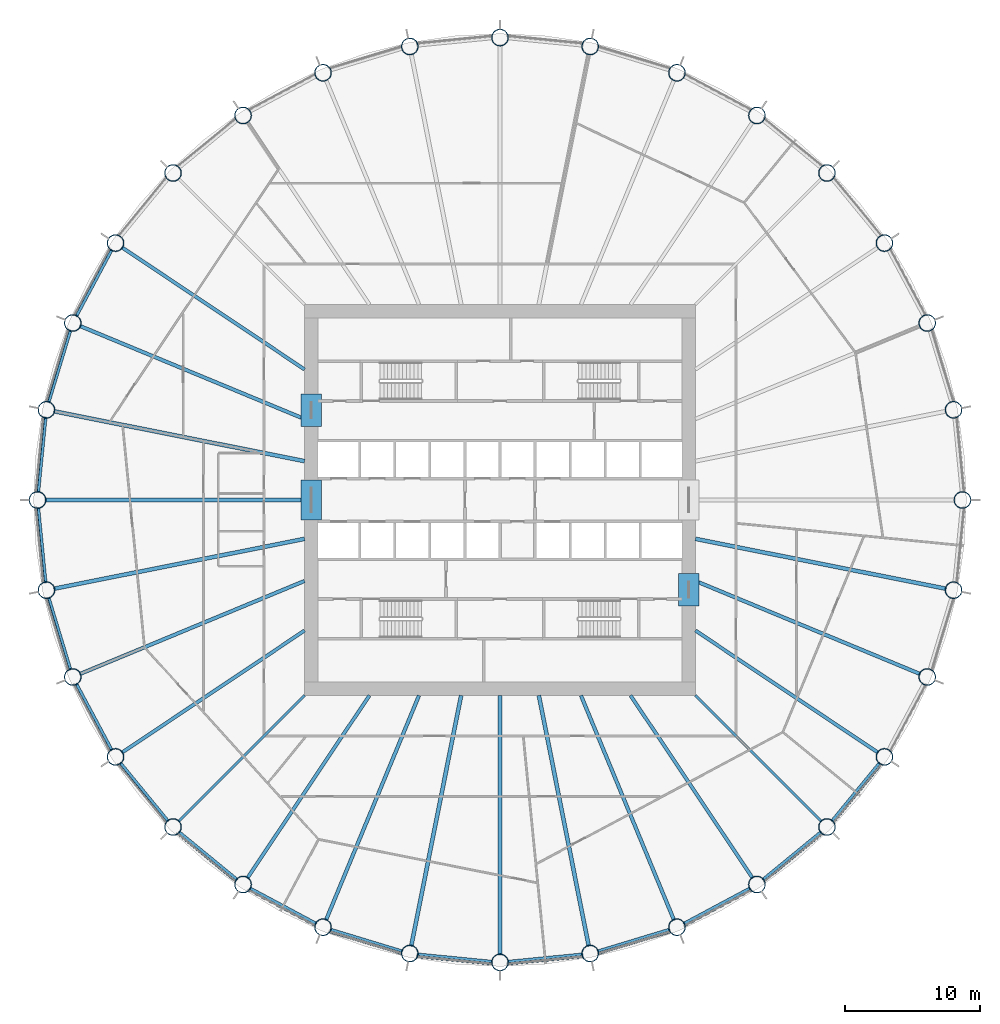
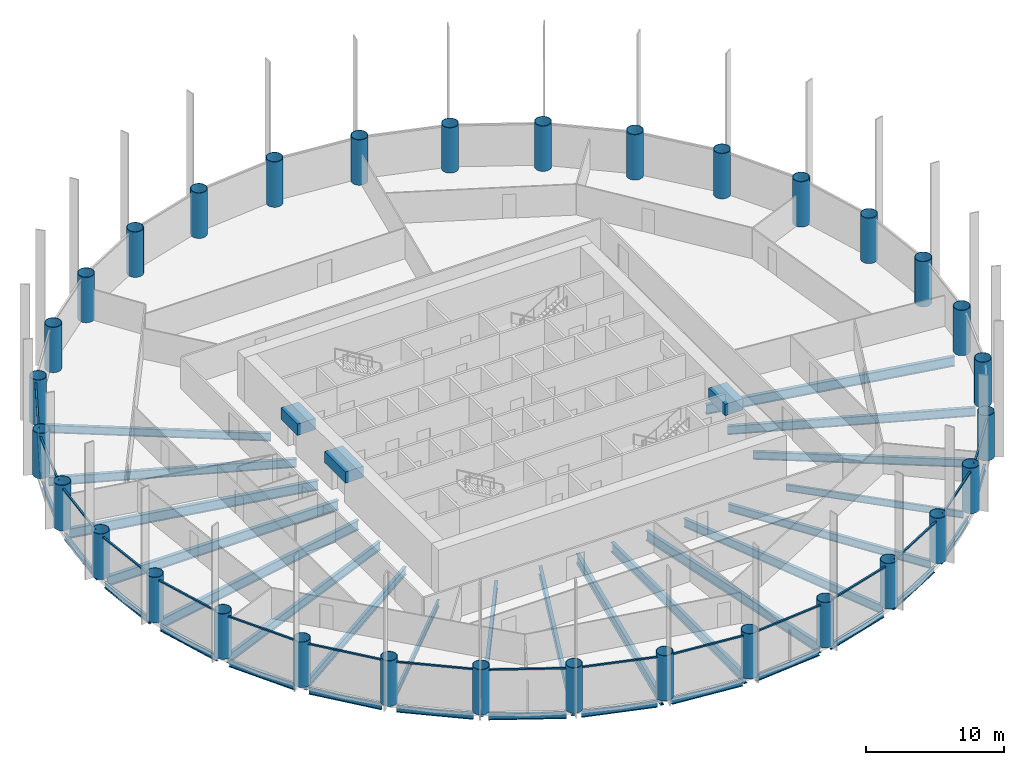
# One storey, part 1 of 10: 38 beams, 32 columns, 16 members, 16 elements without a shape of their own.
"""IFC4 building model written with IfcOpenShell, lengths in metres."""

from ifc_helpers import new_model, si_unit, direction, frame, origin, origin_2d, place, context, subcontext, project, spatial, rectangle, hollow_circle, i_section, extrude, material, material_profile, profile_set, type_object, element, aggregate, save


model = new_model("IFC4")

# Units and contexts
model_context = context("Model", 3, precision=1e-05, world=origin(), true_north=direction((0.0, 1.0)))
body_context = subcontext(model_context, "Body", "Model", "MODEL_VIEW")
ifc_project = project(units=[si_unit("LENGTHUNIT", "METRE"), si_unit("AREAUNIT", "SQUARE_METRE"), si_unit("VOLUMEUNIT", "CUBIC_METRE"), si_unit("PLANEANGLEUNIT", "RADIAN"), si_unit("MASSUNIT", "GRAM", prefix="KILO")], contexts=[model_context])

# Site, building, storey
site_placement = place(None, origin())
site = spatial("IfcSite", under=ifc_project, at=site_placement, CompositionType="ELEMENT")
building_placement = place(site_placement, origin())
building = spatial("IfcBuilding", under=site, at=building_placement, Name="Corvane Civic Tower", CompositionType="ELEMENT")
storey_placement = place(building_placement, frame((0.0, 0.0, 106.5)))
storey = spatial("IfcBuildingStorey", under=building, at=storey_placement, Name="L24", CompositionType="ELEMENT", Elevation=106.5)

# Columns
ifc_material_1 = material(Name="Steel ASTM A572 Gr 50", Category="steel")
ifc_material_profile_1 = material_profile(ifc_material_1, hollow_circle(Radius=0.625, WallThickness=0.035888671875, at=origin_2d()), Name="CHS1250X36")
ifc_profile_set_1 = profile_set([ifc_material_profile_1], Name="Steel ASTM A572 Gr 50")
column_type = type_object("IfcColumnType", Name="COMPOSITE COLUMN CHS1250X36", PredefinedType="COLUMN", material=ifc_profile_set_1)
for number, where, z_axis, x_axis, name in (
    (1, (0.0, 34.300048828125, 0.0), (0.0, 0.0, 1.0), (1.0, 0.0, 0.0), "COL-L24-B01"),
    (2, (6.691650390625, 33.640869140625, 0.0), (0.0, 0.0, 1.0), (1.0, 0.0, 0.0), "COL-L24-B02"),
    (3, (13.1259765625, 31.68896484375, 0.0), (0.0, 0.0, 1.0), (1.0, 0.0, 0.0), "COL-L24-B03"),
    (4, (19.05615234375, 28.519287109375, 0.0), (0.0, 0.0, 1.0), (1.0, 0.0, 0.0), "COL-L24-B04"),
    (5, (24.253662109375, 24.253662109375, 0.0), (0.0, 0.0, 1.0), (1.0, 0.0, 0.0), "COL-L24-B05"),
    (6, (28.519287109375, 19.05615234375, 0.0), (0.0, 0.0, 1.0), (1.0, 0.0, 0.0), "COL-L24-B06"),
    (7, (31.68896484375, 13.1259765625, 0.0), (0.0, 0.0, 1.0), (1.0, 0.0, 0.0), "COL-L24-B07"),
    (8, (33.640869140625, 6.691650390625, 0.0), (0.0, 0.0, 1.0), (1.0, 0.0, 0.0), "COL-L24-B08"),
    (9, (34.300048828125, 0.0, 0.0), (0.0, 0.0, 1.0), (1.0, 0.0, 0.0), "COL-L24-B09"),
    (10, (33.640869140625, -6.691650390625, 0.0), (0.0, 0.0, 1.0), (1.0, 0.0, 0.0), "COL-L24-B10"),
    (11, (31.68896484375, -13.1259765625, 0.0), (0.0, 0.0, 1.0), (1.0, 0.0, 0.0), "COL-L24-B11"),
    (12, (28.519287109375, -19.05615234375, 0.0), (0.0, 0.0, 1.0), (1.0, 0.0, 0.0), "COL-L24-B12"),
    (13, (24.253662109375, -24.253662109375, 0.0), (0.0, 0.0, 1.0), (1.0, 0.0, 0.0), "COL-L24-B13"),
    (14, (19.05615234375, -28.519287109375, 0.0), (0.0, 0.0, 1.0), (1.0, 0.0, 0.0), "COL-L24-B14"),
    (15, (13.1259765625, -31.68896484375, 0.0), (0.0, 0.0, 1.0), (1.0, 0.0, 0.0), "COL-L24-B15"),
    (16, (6.691650390625, -33.640869140625, 0.0), (0.0, 0.0, 1.0), (1.0, 0.0, 0.0), "COL-L24-B16"),
    (17, (0.0, -34.300048828125, 0.0), (0.0, 0.0, 1.0), (1.0, 0.0, 0.0), "COL-L24-B17"),
    (18, (-6.691650390625, -33.640869140625, 0.0), (0.0, 0.0, 1.0), (1.0, 0.0, 0.0), "COL-L24-B18"),
    (19, (-13.1259765625, -31.68896484375, 0.0), (0.0, 0.0, 1.0), (1.0, 0.0, 0.0), "COL-L24-B19"),
    (20, (-19.05615234375, -28.519287109375, 0.0), (0.0, 0.0, 1.0), (1.0, 0.0, 0.0), "COL-L24-B20"),
    (21, (-24.253662109375, -24.253662109375, 0.0), (0.0, 0.0, 1.0), (1.0, 0.0, 0.0), "COL-L24-B21"),
    (22, (-28.519287109375, -19.05615234375, 0.0), (0.0, 0.0, 1.0), (1.0, 0.0, 0.0), "COL-L24-B22"),
    (23, (-31.68896484375, -13.1259765625, 0.0), (0.0, 0.0, 1.0), (1.0, 0.0, 0.0), "COL-L24-B23"),
    (24, (-33.640869140625, -6.691650390625, 0.0), (0.0, 0.0, 1.0), (1.0, 0.0, 0.0), "COL-L24-B24"),
    (25, (-34.300048828125, 0.0, 0.0), (0.0, 0.0, 1.0), (1.0, 0.0, 0.0), "COL-L24-B25"),
    (26, (-33.640869140625, 6.691650390625, 0.0), (0.0, 0.0, 1.0), (1.0, 0.0, 0.0), "COL-L24-B26"),
    (27, (-31.68896484375, 13.1259765625, 0.0), (0.0, 0.0, 1.0), (1.0, 0.0, 0.0), "COL-L24-B27"),
    (28, (-28.519287109375, 19.05615234375, 0.0), (0.0, 0.0, 1.0), (1.0, 0.0, 0.0), "COL-L24-B28"),
    (29, (-24.253662109375, 24.253662109375, 0.0), (0.0, 0.0, 1.0), (1.0, 0.0, 0.0), "COL-L24-B29"),
    (30, (-19.05615234375, 28.519287109375, 0.0), (0.0, 0.0, 1.0), (1.0, 0.0, 0.0), "COL-L24-B30"),
    (31, (-13.1259765625, 31.68896484375, 0.0), (0.0, 0.0, 1.0), (1.0, 0.0, 0.0), "COL-L24-B31"),
    (32, (-6.691650390625, 33.640869140625, 0.0), (0.0, 0.0, 1.0), (1.0, 0.0, 0.0), "COL-L24-B32"),
):
    element("IfcColumn", number, at=place(storey_placement, frame(where, z_axis=z_axis, x_axis=x_axis)), inside=storey, type_object=column_type, Name=name, PredefinedType="COLUMN", context=body_context, shape_type="SweptSolid", body=[
        extrude(hollow_circle(Radius=0.625, WallThickness=0.035888671875, at=origin_2d()), origin(), (0.0, 0.0, 1.0), 4.0),
    ])

# Beams
ifc_material_2 = material(Name="Concrete C70/85", Category="concrete")
ifc_material_profile_2 = material_profile(ifc_material_2, rectangle(XDim=1.5, YDim=1.0, at=origin_2d()), Name="COUPLING BEAM 1500X1000")
ifc_profile_set_2 = profile_set([ifc_material_profile_2], Name="Concrete C70/85")
beam_type_1 = type_object("IfcBeamType", Name="COUPLING BEAM COUPLING BEAM 1500X1000", PredefinedType="BEAM", material=ifc_profile_set_2)
beam_1_placement = place(storey_placement, frame((-14.0, -1.5, 2.60009765625), z_axis=(0.0, 1.0, 0.0), x_axis=(-1.0, 0.0, 0.0)))
element("IfcBeam", 33, at=beam_1_placement, inside=storey, type_object=beam_type_1, Name="BM-L24-cpl-CW-LW", PredefinedType="BEAM", context=body_context, shape_type="SweptSolid", body=[
    extrude(rectangle(XDim=1.5, YDim=1.0, at=origin_2d()), origin(), (0.0, 0.0, 1.0), 3.0),
])
for number, where, z_axis, x_axis, name in (
    (34, (-14.0, 5.449951171875, 2.60009765625), (0.0, 1.0, 0.0), (-1.0, 0.0, 0.0), "BM-L24-cpl-CW-WN"),
    (35, (14.0, -7.85009765625, 2.60009765625), (0.0, 1.0, 0.0), (-1.0, 0.0, 0.0), "BM-L24-cpl-CW-ES"),
):
    element("IfcBeam", number, at=place(storey_placement, frame(where, z_axis=z_axis, x_axis=x_axis)), inside=storey, type_object=beam_type_1, Name=name, PredefinedType="BEAM", context=body_context, shape_type="SweptSolid", body=[
        extrude(rectangle(XDim=1.5, YDim=1.0, at=origin_2d()), origin(), (0.0, 0.0, 1.0), 2.400146484375),
    ])
ifc_material_3 = material(Name="Steel ASTM A992 Gr 50", Category="steel")
ifc_material_profile_3 = material_profile(ifc_material_3, i_section(OverallWidth=0.209228515625, OverallDepth=0.533447265625, WebThickness=0.01025390625, FlangeThickness=0.015625, at=origin_2d()), Name="W21X62")
ifc_profile_set_3 = profile_set([ifc_material_profile_3], Name="Steel ASTM A992 Gr 50")
beam_type_2 = type_object("IfcBeamType", Name="EDGE BEAM W21X62", PredefinedType="BEAM", material=ifc_profile_set_3)
for number, where, z_axis, x_axis, name in (
    (36, (28.17041015625, -19.481201171875, -0.566650390625), (-0.634397765782, -0.773006775372, 0.0), (0.773006775372, -0.634397765782, 0.0), "BM-L24-E12"),
    (37, (23.82861328125, -24.6025390625, -0.566650390625), (-0.773006775372, -0.634397765782, 0.0), (0.634397765782, -0.773006775372, 0.0), "BM-L24-E13"),
    (38, (18.571044921875, -28.778564453125, -0.566650390625), (-0.88192357867, -0.471392407008, 0.0), (0.471392407008, -0.88192357867, 0.0), "BM-L24-E14"),
):
    element("IfcBeam", number, at=place(storey_placement, frame(where, z_axis=z_axis, x_axis=x_axis)), inside=storey, type_object=beam_type_2, Name=name, PredefinedType="BEAM", context=body_context, shape_type="SweptSolid", body=[
        extrude(i_section(OverallWidth=0.209228515625, OverallDepth=0.533447265625, WebThickness=0.01025390625, FlangeThickness=0.015625, at=origin_2d()), origin(), (0.0, 0.0, 1.0), 5.6240234375),
    ])
beam_2_placement = place(storey_placement, frame((12.599609375, -31.8486328125, -0.566650390625), z_axis=(-0.956936367498, -0.290297758448, 0.0), x_axis=(0.290297758448, -0.956936367498, 0.0)))
element("IfcBeam", 39, at=beam_2_placement, inside=storey, type_object=beam_type_2, Name="BM-L24-E15", PredefinedType="BEAM", context=body_context, shape_type="SweptSolid", body=[
    extrude(i_section(OverallWidth=0.209228515625, OverallDepth=0.533447265625, WebThickness=0.01025390625, FlangeThickness=0.015625, at=origin_2d()), origin(), (0.0, 0.0, 1.0), 5.623779296875),
])
for number, where, z_axis, x_axis, name in (
    (40, (6.144287109375, -33.69482421875, -0.566650390625), (-0.995184368522, -0.098020776625, 0.0), (0.098020776625, -0.995184368522, 0.0), "BM-L24-E16"),
    (41, (-0.54736328125, -34.24609375, -0.566650390625), (-0.995184368522, 0.098020776625, 0.0), (-0.098020776625, -0.995184368522, 0.0), "BM-L24-E17"),
):
    element("IfcBeam", number, at=place(storey_placement, frame(where, z_axis=z_axis, x_axis=x_axis)), inside=storey, type_object=beam_type_2, Name=name, PredefinedType="BEAM", context=body_context, shape_type="SweptSolid", body=[
        extrude(i_section(OverallWidth=0.209228515625, OverallDepth=0.533447265625, WebThickness=0.01025390625, FlangeThickness=0.015625, at=origin_2d()), origin(), (0.0, 0.0, 1.0), 5.6240234375),
    ])
beam_3_placement = place(storey_placement, frame((-7.218017578125, -33.481201171875, -0.566650390625), z_axis=(-0.956936367498, 0.290297758448, 0.0), x_axis=(-0.290297758448, -0.956936367498, 0.0)))
element("IfcBeam", 42, at=beam_3_placement, inside=storey, type_object=beam_type_2, Name="BM-L24-E18", PredefinedType="BEAM", context=body_context, shape_type="SweptSolid", body=[
    extrude(i_section(OverallWidth=0.209228515625, OverallDepth=0.533447265625, WebThickness=0.01025390625, FlangeThickness=0.015625, at=origin_2d()), origin(), (0.0, 0.0, 1.0), 5.623779296875),
])
for number, where, z_axis, x_axis, name in (
    (43, (-13.611083984375, -31.4296875, -0.566650390625), (-0.88192357867, 0.471392407008, 0.0), (-0.471392407008, -0.88192357867, 0.0), "BM-L24-E19"),
    (44, (-19.481201171875, -28.17041015625, -0.566650390625), (-0.773006775372, 0.634397765782, 0.0), (-0.634397765782, -0.773006775372, 0.0), "BM-L24-E20"),
    (45, (-24.6025390625, -23.82861328125, -0.566650390625), (-0.634397765782, 0.773006775372, 0.0), (-0.773006775372, -0.634397765782, 0.0), "BM-L24-E21"),
    (46, (-28.778564453125, -18.571044921875, -0.566650390625), (-0.471392407008, 0.88192357867, 0.0), (-0.88192357867, -0.471392407008, 0.0), "BM-L24-E22"),
):
    element("IfcBeam", number, at=place(storey_placement, frame(where, z_axis=z_axis, x_axis=x_axis)), inside=storey, type_object=beam_type_2, Name=name, PredefinedType="BEAM", context=body_context, shape_type="SweptSolid", body=[
        extrude(i_section(OverallWidth=0.209228515625, OverallDepth=0.533447265625, WebThickness=0.01025390625, FlangeThickness=0.015625, at=origin_2d()), origin(), (0.0, 0.0, 1.0), 5.6240234375),
    ])
beam_4_placement = place(storey_placement, frame((-31.8486328125, -12.599609375, -0.566650390625), z_axis=(-0.290297758448, 0.956936367498, 0.0), x_axis=(-0.956936367498, -0.290297758448, 0.0)))
element("IfcBeam", 47, at=beam_4_placement, inside=storey, type_object=beam_type_2, Name="BM-L24-E23", PredefinedType="BEAM", context=body_context, shape_type="SweptSolid", body=[
    extrude(i_section(OverallWidth=0.209228515625, OverallDepth=0.533447265625, WebThickness=0.01025390625, FlangeThickness=0.015625, at=origin_2d()), origin(), (0.0, 0.0, 1.0), 5.623779296875),
])
for number, where, z_axis, x_axis, name in (
    (48, (-33.69482421875, -6.144287109375, -0.566650390625), (-0.098020776625, 0.995184368522, 0.0), (-0.995184368522, -0.098020776625, 0.0), "BM-L24-E24"),
    (49, (-34.24609375, 0.54736328125, -0.566650390625), (0.098020776625, 0.995184368522, 0.0), (-0.995184368522, 0.098020776625, 0.0), "BM-L24-E25"),
):
    element("IfcBeam", number, at=place(storey_placement, frame(where, z_axis=z_axis, x_axis=x_axis)), inside=storey, type_object=beam_type_2, Name=name, PredefinedType="BEAM", context=body_context, shape_type="SweptSolid", body=[
        extrude(i_section(OverallWidth=0.209228515625, OverallDepth=0.533447265625, WebThickness=0.01025390625, FlangeThickness=0.015625, at=origin_2d()), origin(), (0.0, 0.0, 1.0), 5.6240234375),
    ])
beam_5_placement = place(storey_placement, frame((-33.481201171875, 7.218017578125, -0.566650390625), z_axis=(0.290297758448, 0.956936367498, 0.0), x_axis=(-0.956936367498, 0.290297758448, 0.0)))
element("IfcBeam", 50, at=beam_5_placement, inside=storey, type_object=beam_type_2, Name="BM-L24-E26", PredefinedType="BEAM", context=body_context, shape_type="SweptSolid", body=[
    extrude(i_section(OverallWidth=0.209228515625, OverallDepth=0.533447265625, WebThickness=0.01025390625, FlangeThickness=0.015625, at=origin_2d()), origin(), (0.0, 0.0, 1.0), 5.623779296875),
])
beam_6_placement = place(storey_placement, frame((-31.4296875, 13.611083984375, -0.566650390625), z_axis=(0.471392407008, 0.88192357867, 0.0), x_axis=(-0.88192357867, 0.471392407008, 0.0)))
element("IfcBeam", 51, at=beam_6_placement, inside=storey, type_object=beam_type_2, Name="BM-L24-E27", PredefinedType="BEAM", context=body_context, shape_type="SweptSolid", body=[
    extrude(i_section(OverallWidth=0.209228515625, OverallDepth=0.533447265625, WebThickness=0.01025390625, FlangeThickness=0.015625, at=origin_2d()), origin(), (0.0, 0.0, 1.0), 5.6240234375),
])
ifc_material_4 = material(Name="Steel ASTM A992 Gr 50", Category="steel")
ifc_material_profile_4 = material_profile(ifc_material_4, i_section(OverallWidth=0.177978515625, OverallDepth=0.599365234375, WebThickness=0.010009765625, FlangeThickness=0.012939453125, at=origin_2d()), Name="W24X55")
ifc_profile_set_4 = profile_set([ifc_material_profile_4], Name="Steel ASTM A992 Gr 50")
beam_type_3 = type_object("IfcBeamType", Name="FLOOR GIRDER W24X55", PredefinedType="BEAM", material=ifc_profile_set_4)
for number, where, z_axis, x_axis, name in (
    (52, (14.5, -14.5, -0.599609375), (0.707106781187, -0.707106781187, 0.0), (0.707106781187, 0.707106781187, 0.0), "BM-L24-G13"),
    (53, (-14.5, -14.5, -0.599609375), (-0.707106781187, -0.707106781187, 0.0), (0.707106781187, -0.707106781187, 0.0), "BM-L24-G21"),
):
    element("IfcBeam", number, at=place(storey_placement, frame(where, z_axis=z_axis, x_axis=x_axis)), inside=storey, type_object=beam_type_3, Name=name, PredefinedType="BEAM", context=body_context, shape_type="SweptSolid", body=[
        extrude(i_section(OverallWidth=0.177978515625, OverallDepth=0.599365234375, WebThickness=0.010009765625, FlangeThickness=0.012939453125, at=origin_2d()), origin(), (0.0, 0.0, 1.0), 13.24365234375),
    ])
ifc_material_5 = material(Name="Steel ASTM A992 Gr 50", Category="steel")
ifc_material_profile_5 = material_profile(ifc_material_5, i_section(OverallWidth=0.256591796875, OverallDepth=0.693359375, WebThickness=0.014404296875, FlangeThickness=0.023681640625, at=origin_2d()), Name="W27X114")
ifc_profile_set_5 = profile_set([ifc_material_profile_5], Name="Steel ASTM A992 Gr 50")
beam_type_4 = type_object("IfcBeamType", Name="FLOOR GIRDER W27X114", PredefinedType="BEAM", material=ifc_profile_set_5)
for number, where, z_axis, x_axis, name in (
    (54, (14.5, -9.6884765625, -0.646728515625), (0.83146493365, -0.555577235054, 0.0), (0.555577235054, 0.83146493365, 0.0), "BM-L24-G12"),
    (55, (9.6884765625, -14.5, -0.646728515625), (0.555577235054, -0.83146493365, 0.0), (0.83146493365, 0.555577235054, 0.0), "BM-L24-G14"),
    (56, (-9.6884765625, -14.5, -0.646728515625), (-0.555577235054, -0.83146493365, 0.0), (0.83146493365, -0.555577235054, 0.0), "BM-L24-G20"),
    (57, (-14.5, -9.6884765625, -0.646728515625), (-0.83146493365, -0.555577235054, 0.0), (0.555577235054, -0.83146493365, 0.0), "BM-L24-G22"),
    (58, (-14.5, 9.6884765625, -0.646728515625), (-0.83146493365, 0.555577235054, 0.0), (-0.555577235054, -0.83146493365, 0.0), "BM-L24-G28"),
):
    element("IfcBeam", number, at=place(storey_placement, frame(where, z_axis=z_axis, x_axis=x_axis)), inside=storey, type_object=beam_type_4, Name=name, PredefinedType="BEAM", context=body_context, shape_type="SweptSolid", body=[
        extrude(i_section(OverallWidth=0.256591796875, OverallDepth=0.693359375, WebThickness=0.014404296875, FlangeThickness=0.023681640625, at=origin_2d()), origin(), (0.0, 0.0, 1.0), 16.31103515625),
    ])
ifc_material_6 = material(Name="Steel ASTM A992 Gr 50", Category="steel")
ifc_material_profile_6 = material_profile(ifc_material_6, i_section(OverallWidth=0.2666015625, OverallDepth=0.7568359375, WebThickness=0.013916015625, FlangeThickness=0.019287109375, at=origin_2d()), Name="W30X108")
ifc_profile_set_6 = profile_set([ifc_material_profile_6], Name="Steel ASTM A992 Gr 50")
beam_type_5 = type_object("IfcBeamType", Name="FLOOR GIRDER W30X108", PredefinedType="BEAM", material=ifc_profile_set_6)
for number, where, z_axis, x_axis, name in (
    (59, (14.5, -6.006103515625, -0.678466796875), (0.923880209691, -0.382681797504, 0.0), (0.382681797504, 0.923880209691, 0.0), "BM-L24-G11"),
    (60, (6.006103515625, -14.5, -0.678466796875), (0.382681797504, -0.923880209691, 0.0), (0.923880209691, 0.382681797504, 0.0), "BM-L24-G15"),
    (61, (-6.006103515625, -14.5, -0.678466796875), (-0.382681797504, -0.923880209691, 0.0), (0.923880209691, -0.382681797504, 0.0), "BM-L24-G19"),
    (62, (-14.5, -6.006103515625, -0.678466796875), (-0.923880209691, -0.382681797504, 0.0), (0.382681797504, -0.923880209691, 0.0), "BM-L24-G23"),
    (63, (-14.5, 6.006103515625, -0.678466796875), (-0.923880209691, 0.382681797504, 0.0), (-0.382681797504, -0.923880209691, 0.0), "BM-L24-G27"),
):
    element("IfcBeam", number, at=place(storey_placement, frame(where, z_axis=z_axis, x_axis=x_axis)), inside=storey, type_object=beam_type_5, Name=name, PredefinedType="BEAM", context=body_context, shape_type="SweptSolid", body=[
        extrude(i_section(OverallWidth=0.2666015625, OverallDepth=0.7568359375, WebThickness=0.013916015625, FlangeThickness=0.019287109375, at=origin_2d()), origin(), (0.0, 0.0, 1.0), 18.05517578125),
    ])
ifc_material_7 = material(Name="Steel ASTM A992 Gr 50", Category="steel")
ifc_material_profile_7 = material_profile(ifc_material_7, i_section(OverallWidth=0.2919921875, OverallDepth=0.8583984375, WebThickness=0.01708984375, FlangeThickness=0.031005859375, at=origin_2d()), Name="W33X169")
ifc_profile_set_7 = profile_set([ifc_material_profile_7], Name="Steel ASTM A992 Gr 50")
beam_type_6 = type_object("IfcBeamType", Name="FLOOR GIRDER W33X169", PredefinedType="BEAM", material=ifc_profile_set_7)
for number, where, z_axis, x_axis, name in (
    (64, (14.5, -2.88427734375, -0.729248046875), (0.9807865885, -0.195083745652, 0.0), (0.195083745652, 0.9807865885, 0.0), "BM-L24-G10"),
    (65, (2.88427734375, -14.5, -0.729248046875), (0.195083745652, -0.9807865885, 0.0), (0.9807865885, 0.195083745652, 0.0), "BM-L24-G16"),
):
    element("IfcBeam", number, at=place(storey_placement, frame(where, z_axis=z_axis, x_axis=x_axis)), inside=storey, type_object=beam_type_6, Name=name, PredefinedType="BEAM", context=body_context, shape_type="SweptSolid", body=[
        extrude(i_section(OverallWidth=0.2919921875, OverallDepth=0.8583984375, WebThickness=0.01708984375, FlangeThickness=0.031005859375, at=origin_2d()), origin(), (0.0, 0.0, 1.0), 18.966064453125),
    ])
beam_7_placement = place(storey_placement, frame((0.0, -14.5, -0.729248046875), z_axis=(0.0, -1.0, 0.0), x_axis=(1.0, 0.0, 0.0)))
element("IfcBeam", 66, at=beam_7_placement, inside=storey, type_object=beam_type_6, Name="BM-L24-G17", PredefinedType="BEAM", context=body_context, shape_type="SweptSolid", body=[
    extrude(i_section(OverallWidth=0.2919921875, OverallDepth=0.8583984375, WebThickness=0.01708984375, FlangeThickness=0.031005859375, at=origin_2d()), origin(), (0.0, 0.0, 1.0), 19.25),
])
for number, where, z_axis, x_axis, name in (
    (67, (-2.88427734375, -14.5, -0.729248046875), (-0.195083745652, -0.9807865885, 0.0), (0.9807865885, -0.195083745652, 0.0), "BM-L24-G18"),
    (68, (-14.5, -2.88427734375, -0.729248046875), (-0.9807865885, -0.195083745652, 0.0), (0.195083745652, -0.9807865885, 0.0), "BM-L24-G24"),
):
    element("IfcBeam", number, at=place(storey_placement, frame(where, z_axis=z_axis, x_axis=x_axis)), inside=storey, type_object=beam_type_6, Name=name, PredefinedType="BEAM", context=body_context, shape_type="SweptSolid", body=[
        extrude(i_section(OverallWidth=0.2919921875, OverallDepth=0.8583984375, WebThickness=0.01708984375, FlangeThickness=0.031005859375, at=origin_2d()), origin(), (0.0, 0.0, 1.0), 18.966064453125),
    ])
beam_8_placement = place(storey_placement, frame((-14.5, 0.0, -0.729248046875), z_axis=(-1.0, 0.0, 0.0), x_axis=(0.0, -1.0, 0.0)))
element("IfcBeam", 69, at=beam_8_placement, inside=storey, type_object=beam_type_6, Name="BM-L24-G25", PredefinedType="BEAM", context=body_context, shape_type="SweptSolid", body=[
    extrude(i_section(OverallWidth=0.2919921875, OverallDepth=0.8583984375, WebThickness=0.01708984375, FlangeThickness=0.031005859375, at=origin_2d()), origin(), (0.0, 0.0, 1.0), 19.25),
])
beam_9_placement = place(storey_placement, frame((-14.5, 2.88427734375, -0.729248046875), z_axis=(-0.9807865885, 0.195083745652, 0.0), x_axis=(-0.195083745652, -0.9807865885, 0.0)))
element("IfcBeam", 70, at=beam_9_placement, inside=storey, type_object=beam_type_6, Name="BM-L24-G26", PredefinedType="BEAM", context=body_context, shape_type="SweptSolid", body=[
    extrude(i_section(OverallWidth=0.2919921875, OverallDepth=0.8583984375, WebThickness=0.01708984375, FlangeThickness=0.031005859375, at=origin_2d()), origin(), (0.0, 0.0, 1.0), 18.966064453125),
])

# Curtain wall, member
ifc_material_8 = material(Name="Anodised aluminium bronze", Category="aluminium")
curtain_wall_type = type_object("IfcCurtainWallType", Name="TOWER CW-T1 STICK CURTAIN WALL", PredefinedType="NOTDEFINED", material=ifc_material_8)
curtain_wall_1_placement = place(storey_placement, origin())
curtain_wall_1 = element("IfcCurtainWall", 71, at=curtain_wall_1_placement, inside=storey, type_object=curtain_wall_type, Name="Curtain wall CW-T1 L24 bay 12", PredefinedType="NOTDEFINED")
ifc_material_9 = material(Name="Anodised aluminium bronze", Category="aluminium")
ifc_material_profile_8 = material_profile(ifc_material_9, rectangle(XDim=0.139892578125, YDim=0.1201171875, at=origin_2d()), Name="TOWER CW-T1 TRANSOM 140x120")
ifc_profile_set_8 = profile_set([ifc_material_profile_8], Name="Anodised aluminium bronze")
member_type = type_object("IfcMemberType", Name="TOWER CW-T1 TRANSOM 140x120", PredefinedType="USERDEFINED", material=ifc_profile_set_8)
member_1_placement = place(storey_placement, frame((28.297119140625, -19.609619140625, 3.68994140625), z_axis=(-0.634410369295, -0.772996431642, 0.0), x_axis=(0.772996431642, -0.634410369295, 0.0)))
member_1 = element("IfcMember", 72, at=member_1_placement, type_object=member_type, Name="Transom CW-T1 L24 12.1", ObjectType="TRANSOM", PredefinedType="USERDEFINED", context=body_context, shape_type="SweptSolid", body=[
    extrude(rectangle(XDim=0.139892578125, YDim=0.1201171875, at=origin_2d()), origin(), (0.0, 0.0, 1.0), 5.586181640625),
])
aggregate(curtain_wall_1, [member_1])

curtain_wall_2_placement = place(storey_placement, origin())
curtain_wall_2 = element("IfcCurtainWall", 73, at=curtain_wall_2_placement, inside=storey, type_object=curtain_wall_type, Name="Curtain wall CW-T1 L24 bay 13", PredefinedType="NOTDEFINED")
member_2_placement = place(storey_placement, frame((23.927734375, -24.753173828125, 3.68994140625), z_axis=(-0.772996431642, -0.634410369295, 0.0), x_axis=(0.634410369295, -0.772996431642, 0.0)))
member_2 = element("IfcMember", 74, at=member_2_placement, type_object=member_type, Name="Transom CW-T1 L24 13.1", ObjectType="TRANSOM", PredefinedType="USERDEFINED", context=body_context, shape_type="SweptSolid", body=[
    extrude(rectangle(XDim=0.139892578125, YDim=0.1201171875, at=origin_2d()), origin(), (0.0, 0.0, 1.0), 5.586181640625),
])
aggregate(curtain_wall_2, [member_2])

curtain_wall_3_placement = place(storey_placement, origin())
curtain_wall_3 = element("IfcCurtainWall", 75, at=curtain_wall_3_placement, inside=storey, type_object=curtain_wall_type, Name="Curtain wall CW-T1 L24 bay 14", PredefinedType="NOTDEFINED")
member_3_placement = place(storey_placement, frame((18.63916015625, -28.945556640625, 3.68994140625), z_axis=(-0.881920705407, -0.47139778253, 0.0), x_axis=(0.47139778253, -0.881920705407, 0.0)))
member_3 = element("IfcMember", 76, at=member_3_placement, type_object=member_type, Name="Transom CW-T1 L24 14.1", ObjectType="TRANSOM", PredefinedType="USERDEFINED", context=body_context, shape_type="SweptSolid", body=[
    extrude(rectangle(XDim=0.139892578125, YDim=0.1201171875, at=origin_2d()), origin(), (0.0, 0.0, 1.0), 5.586669921875),
])
aggregate(curtain_wall_3, [member_3])

curtain_wall_4_placement = place(storey_placement, origin())
curtain_wall_4 = element("IfcCurtainWall", 77, at=curtain_wall_4_placement, inside=storey, type_object=curtain_wall_type, Name="Curtain wall CW-T1 L24 bay 15", PredefinedType="NOTDEFINED")
member_4_placement = place(storey_placement, frame((12.6337890625, -32.025634765625, 3.68994140625), z_axis=(-0.956944977029, -0.290269376509, 0.0), x_axis=(0.290269376509, -0.956944977029, 0.0)))
member_4 = element("IfcMember", 78, at=member_4_placement, type_object=member_type, Name="Transom CW-T1 L24 15.1", ObjectType="TRANSOM", PredefinedType="USERDEFINED", context=body_context, shape_type="SweptSolid", body=[
    extrude(rectangle(XDim=0.139892578125, YDim=0.1201171875, at=origin_2d()), origin(), (0.0, 0.0, 1.0), 5.58642578125),
])
aggregate(curtain_wall_4, [member_4])

curtain_wall_5_placement = place(storey_placement, origin())
curtain_wall_5 = element("IfcCurtainWall", 79, at=curtain_wall_5_placement, inside=storey, type_object=curtain_wall_type, Name="Curtain wall CW-T1 L24 bay 16", PredefinedType="NOTDEFINED")
member_5_placement = place(storey_placement, frame((6.14306640625, -33.874755859375, 3.68994140625), z_axis=(-0.995179807033, -0.098067077419, 0.0), x_axis=(0.098067077419, -0.995179807033, 0.0)))
member_5 = element("IfcMember", 80, at=member_5_placement, type_object=member_type, Name="Transom CW-T1 L24 16.1", ObjectType="TRANSOM", PredefinedType="USERDEFINED", context=body_context, shape_type="SweptSolid", body=[
    extrude(rectangle(XDim=0.139892578125, YDim=0.1201171875, at=origin_2d()), origin(), (0.0, 0.0, 1.0), 5.58642578125),
])
aggregate(curtain_wall_5, [member_5])

curtain_wall_6_placement = place(storey_placement, origin())
curtain_wall_6 = element("IfcCurtainWall", 81, at=curtain_wall_6_placement, inside=storey, type_object=curtain_wall_type, Name="Curtain wall CW-T1 L24 bay 17", PredefinedType="NOTDEFINED")
member_6_placement = place(storey_placement, frame((-0.58349609375, -34.422607421875, 3.68994140625), z_axis=(-0.995179807033, 0.098067077419, 0.0), x_axis=(-0.098067077419, -0.995179807033, 0.0)))
member_6 = element("IfcMember", 82, at=member_6_placement, type_object=member_type, Name="Transom CW-T1 L24 17.1", ObjectType="TRANSOM", PredefinedType="USERDEFINED", context=body_context, shape_type="SweptSolid", body=[
    extrude(rectangle(XDim=0.139892578125, YDim=0.1201171875, at=origin_2d()), origin(), (0.0, 0.0, 1.0), 5.58642578125),
])
aggregate(curtain_wall_6, [member_6])

curtain_wall_7_placement = place(storey_placement, origin())
curtain_wall_7 = element("IfcCurtainWall", 83, at=curtain_wall_7_placement, inside=storey, type_object=curtain_wall_type, Name="Curtain wall CW-T1 L24 bay 18", PredefinedType="NOTDEFINED")
member_7_placement = place(storey_placement, frame((-7.287841796875, -33.647216796875, 3.68994140625), z_axis=(-0.956944977029, 0.290269376509, 0.0), x_axis=(-0.290269376509, -0.956944977029, 0.0)))
member_7 = element("IfcMember", 84, at=member_7_placement, type_object=member_type, Name="Transom CW-T1 L24 18.1", ObjectType="TRANSOM", PredefinedType="USERDEFINED", context=body_context, shape_type="SweptSolid", body=[
    extrude(rectangle(XDim=0.139892578125, YDim=0.1201171875, at=origin_2d()), origin(), (0.0, 0.0, 1.0), 5.58642578125),
])
aggregate(curtain_wall_7, [member_7])

curtain_wall_8_placement = place(storey_placement, origin())
curtain_wall_8 = element("IfcCurtainWall", 85, at=curtain_wall_8_placement, inside=storey, type_object=curtain_wall_type, Name="Curtain wall CW-T1 L24 bay 19", PredefinedType="NOTDEFINED")
member_8_placement = place(storey_placement, frame((-13.712158203125, -31.5791015625, 3.68994140625), z_axis=(-0.881920705407, 0.47139778253, 0.0), x_axis=(-0.47139778253, -0.881920705407, 0.0)))
member_8 = element("IfcMember", 86, at=member_8_placement, type_object=member_type, Name="Transom CW-T1 L24 19.1", ObjectType="TRANSOM", PredefinedType="USERDEFINED", context=body_context, shape_type="SweptSolid", body=[
    extrude(rectangle(XDim=0.139892578125, YDim=0.1201171875, at=origin_2d()), origin(), (0.0, 0.0, 1.0), 5.586669921875),
])
aggregate(curtain_wall_8, [member_8])

curtain_wall_9_placement = place(storey_placement, origin())
curtain_wall_9 = element("IfcCurtainWall", 87, at=curtain_wall_9_placement, inside=storey, type_object=curtain_wall_type, Name="Curtain wall CW-T1 L24 bay 20", PredefinedType="NOTDEFINED")
member_9_placement = place(storey_placement, frame((-19.609619140625, -28.297119140625, 3.68994140625), z_axis=(-0.772996431642, 0.634410369295, 0.0), x_axis=(-0.634410369295, -0.772996431642, 0.0)))
member_9 = element("IfcMember", 88, at=member_9_placement, type_object=member_type, Name="Transom CW-T1 L24 20.1", ObjectType="TRANSOM", PredefinedType="USERDEFINED", context=body_context, shape_type="SweptSolid", body=[
    extrude(rectangle(XDim=0.139892578125, YDim=0.1201171875, at=origin_2d()), origin(), (0.0, 0.0, 1.0), 5.586181640625),
])
aggregate(curtain_wall_9, [member_9])

curtain_wall_10_placement = place(storey_placement, origin())
curtain_wall_10 = element("IfcCurtainWall", 89, at=curtain_wall_10_placement, inside=storey, type_object=curtain_wall_type, Name="Curtain wall CW-T1 L24 bay 21", PredefinedType="NOTDEFINED")
member_10_placement = place(storey_placement, frame((-24.753173828125, -23.927734375, 3.68994140625), z_axis=(-0.634410369295, 0.772996431642, 0.0), x_axis=(-0.772996431642, -0.634410369295, 0.0)))
member_10 = element("IfcMember", 90, at=member_10_placement, type_object=member_type, Name="Transom CW-T1 L24 21.1", ObjectType="TRANSOM", PredefinedType="USERDEFINED", context=body_context, shape_type="SweptSolid", body=[
    extrude(rectangle(XDim=0.139892578125, YDim=0.1201171875, at=origin_2d()), origin(), (0.0, 0.0, 1.0), 5.586181640625),
])
aggregate(curtain_wall_10, [member_10])

curtain_wall_11_placement = place(storey_placement, origin())
curtain_wall_11 = element("IfcCurtainWall", 91, at=curtain_wall_11_placement, inside=storey, type_object=curtain_wall_type, Name="Curtain wall CW-T1 L24 bay 22", PredefinedType="NOTDEFINED")
member_11_placement = place(storey_placement, frame((-28.945556640625, -18.63916015625, 3.68994140625), z_axis=(-0.47139778253, 0.881920705407, 0.0), x_axis=(-0.881920705407, -0.47139778253, 0.0)))
member_11 = element("IfcMember", 92, at=member_11_placement, type_object=member_type, Name="Transom CW-T1 L24 22.1", ObjectType="TRANSOM", PredefinedType="USERDEFINED", context=body_context, shape_type="SweptSolid", body=[
    extrude(rectangle(XDim=0.139892578125, YDim=0.1201171875, at=origin_2d()), origin(), (0.0, 0.0, 1.0), 5.586669921875),
])
aggregate(curtain_wall_11, [member_11])

curtain_wall_12_placement = place(storey_placement, origin())
curtain_wall_12 = element("IfcCurtainWall", 93, at=curtain_wall_12_placement, inside=storey, type_object=curtain_wall_type, Name="Curtain wall CW-T1 L24 bay 23", PredefinedType="NOTDEFINED")
member_12_placement = place(storey_placement, frame((-32.025634765625, -12.6337890625, 3.68994140625), z_axis=(-0.290269376509, 0.956944977029, 0.0), x_axis=(-0.956944977029, -0.290269376509, 0.0)))
member_12 = element("IfcMember", 94, at=member_12_placement, type_object=member_type, Name="Transom CW-T1 L24 23.1", ObjectType="TRANSOM", PredefinedType="USERDEFINED", context=body_context, shape_type="SweptSolid", body=[
    extrude(rectangle(XDim=0.139892578125, YDim=0.1201171875, at=origin_2d()), origin(), (0.0, 0.0, 1.0), 5.58642578125),
])
aggregate(curtain_wall_12, [member_12])

curtain_wall_13_placement = place(storey_placement, origin())
curtain_wall_13 = element("IfcCurtainWall", 95, at=curtain_wall_13_placement, inside=storey, type_object=curtain_wall_type, Name="Curtain wall CW-T1 L24 bay 24", PredefinedType="NOTDEFINED")
member_13_placement = place(storey_placement, frame((-33.874755859375, -6.14306640625, 3.68994140625), z_axis=(-0.098067077419, 0.995179807033, 0.0), x_axis=(-0.995179807033, -0.098067077419, 0.0)))
member_13 = element("IfcMember", 96, at=member_13_placement, type_object=member_type, Name="Transom CW-T1 L24 24.1", ObjectType="TRANSOM", PredefinedType="USERDEFINED", context=body_context, shape_type="SweptSolid", body=[
    extrude(rectangle(XDim=0.139892578125, YDim=0.1201171875, at=origin_2d()), origin(), (0.0, 0.0, 1.0), 5.58642578125),
])
aggregate(curtain_wall_13, [member_13])

curtain_wall_14_placement = place(storey_placement, origin())
curtain_wall_14 = element("IfcCurtainWall", 97, at=curtain_wall_14_placement, inside=storey, type_object=curtain_wall_type, Name="Curtain wall CW-T1 L24 bay 25", PredefinedType="NOTDEFINED")
member_14_placement = place(storey_placement, frame((-34.422607421875, 0.58349609375, 3.68994140625), z_axis=(0.098067077419, 0.995179807033, 0.0), x_axis=(-0.995179807033, 0.098067077419, 0.0)))
member_14 = element("IfcMember", 98, at=member_14_placement, type_object=member_type, Name="Transom CW-T1 L24 25.1", ObjectType="TRANSOM", PredefinedType="USERDEFINED", context=body_context, shape_type="SweptSolid", body=[
    extrude(rectangle(XDim=0.139892578125, YDim=0.1201171875, at=origin_2d()), origin(), (0.0, 0.0, 1.0), 5.58642578125),
])
aggregate(curtain_wall_14, [member_14])

curtain_wall_15_placement = place(storey_placement, origin())
curtain_wall_15 = element("IfcCurtainWall", 99, at=curtain_wall_15_placement, inside=storey, type_object=curtain_wall_type, Name="Curtain wall CW-T1 L24 bay 26", PredefinedType="NOTDEFINED")
member_15_placement = place(storey_placement, frame((-33.647216796875, 7.287841796875, 3.68994140625), z_axis=(0.290269376509, 0.956944977029, 0.0), x_axis=(-0.956944977029, 0.290269376509, 0.0)))
member_15 = element("IfcMember", 100, at=member_15_placement, type_object=member_type, Name="Transom CW-T1 L24 26.1", ObjectType="TRANSOM", PredefinedType="USERDEFINED", context=body_context, shape_type="SweptSolid", body=[
    extrude(rectangle(XDim=0.139892578125, YDim=0.1201171875, at=origin_2d()), origin(), (0.0, 0.0, 1.0), 5.58642578125),
])
aggregate(curtain_wall_15, [member_15])

curtain_wall_16_placement = place(storey_placement, origin())
curtain_wall_16 = element("IfcCurtainWall", 101, at=curtain_wall_16_placement, inside=storey, type_object=curtain_wall_type, Name="Curtain wall CW-T1 L24 bay 27", PredefinedType="NOTDEFINED")
member_16_placement = place(storey_placement, frame((-31.5791015625, 13.712158203125, 3.68994140625), z_axis=(0.47139778253, 0.881920705407, 0.0), x_axis=(-0.881920705407, 0.47139778253, 0.0)))
member_16 = element("IfcMember", 102, at=member_16_placement, type_object=member_type, Name="Transom CW-T1 L24 27.1", ObjectType="TRANSOM", PredefinedType="USERDEFINED", context=body_context, shape_type="SweptSolid", body=[
    extrude(rectangle(XDim=0.139892578125, YDim=0.1201171875, at=origin_2d()), origin(), (0.0, 0.0, 1.0), 5.586669921875),
])
aggregate(curtain_wall_16, [member_16])

save(model, "model.ifc")
